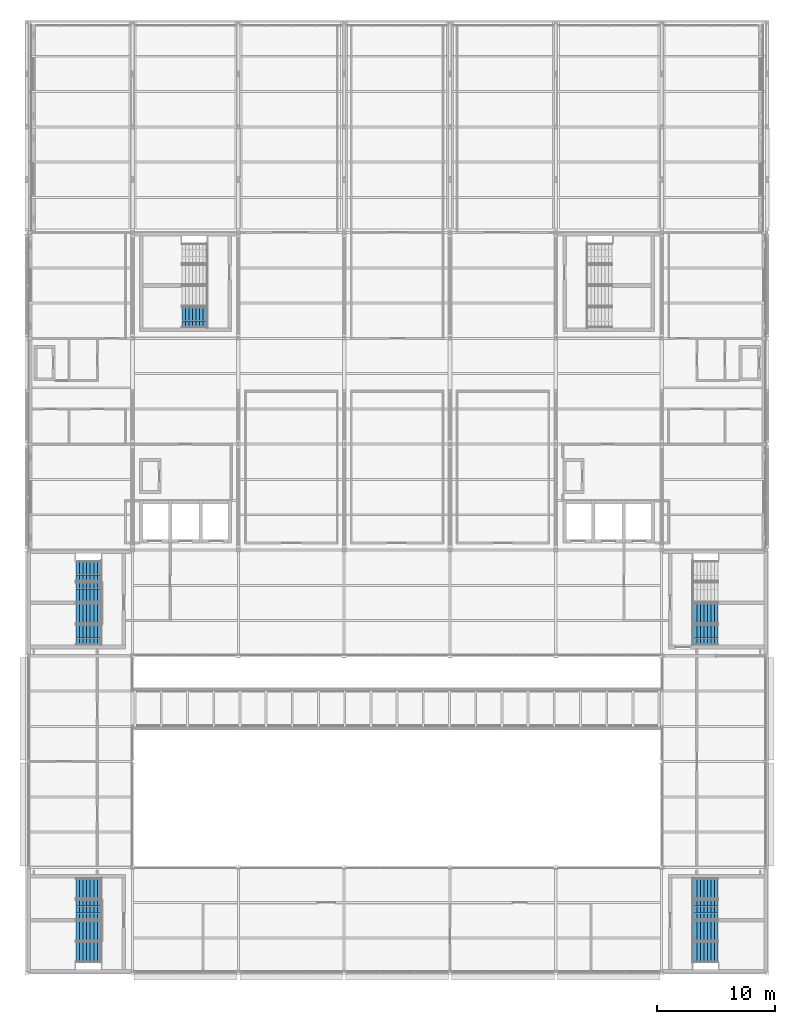
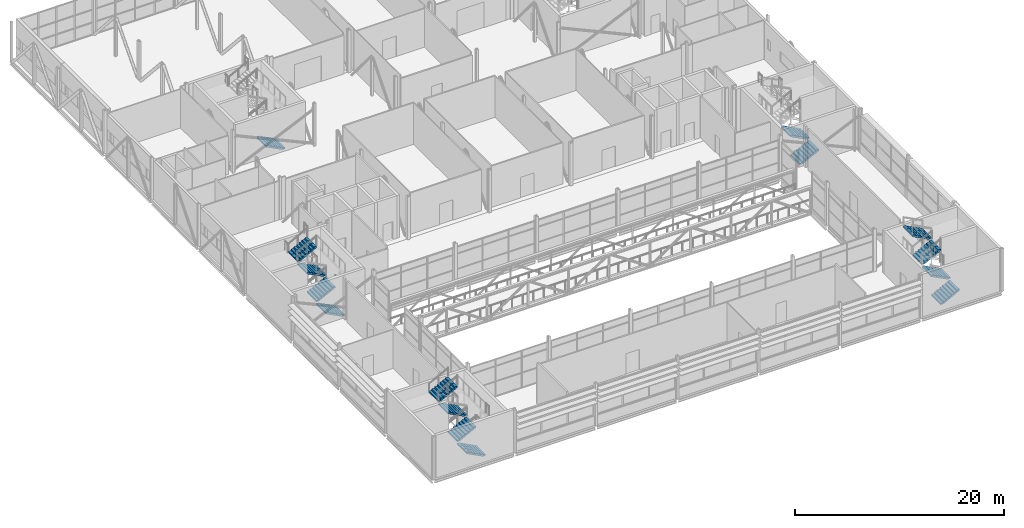
# One storey, part 83 of 94: 15 stair flights, 5 elements without a shape of their own.
"""IFC4 building model written with IfcOpenShell, lengths in metres."""

from ifc_helpers import new_model, si_unit, direction, frame, origin, place, context, subcontext, project, spatial, polyline, outline, extrude, material, type_object, element, aggregate, save


model = new_model("IFC4")

# Units and contexts
model_context = context("Model", 3, precision=1e-05, world=origin(), true_north=direction((0.0, 1.0)))
body_context = subcontext(model_context, "Body", "Model", "MODEL_VIEW")
ifc_project = project(units=[si_unit("LENGTHUNIT", "METRE"), si_unit("AREAUNIT", "SQUARE_METRE"), si_unit("VOLUMEUNIT", "CUBIC_METRE"), si_unit("PLANEANGLEUNIT", "RADIAN"), si_unit("MASSUNIT", "GRAM", prefix="KILO")], contexts=[model_context])

# Site, building, storey
site_placement = place(None, origin())
site = spatial("IfcSite", under=ifc_project, at=site_placement, CompositionType="ELEMENT")
building_placement = place(site_placement, origin())
building = spatial("IfcBuilding", under=site, at=building_placement, Name="Shorebreak Coast Museum", CompositionType="ELEMENT")
storey_placement = place(building_placement, frame((0.0, 0.0, 31.0)))
storey = spatial("IfcBuildingStorey", under=building, at=storey_placement, Name="L05", CompositionType="ELEMENT", Elevation=31.0)

# Stair, stair flights
ifc_material_1 = material(Name="Concrete N40 (40 MPa)", Category="concrete")
stair_type = type_object("IfcStairType", Name="Stair run 5 m", PredefinedType="DOUBLE_RETURN_STAIR", material=ifc_material_1)
stair_1_placement = place(storey_placement, origin())
stair_1 = element("IfcStair", 1, at=stair_1_placement, inside=storey, type_object=stair_type, Name="Exit stair ST01-L05", PredefinedType="DOUBLE_RETURN_STAIR")
ifc_material_2 = material(Name="Concrete N40 (40 MPa)", Category="concrete")
stair_flight_type = type_object("IfcStairFlightType", Name="Stair flight 8 risers 156.25", PredefinedType="STRAIGHT", material=ifc_material_2)
stair_flight_1_placement = place(storey_placement, frame((60.300048828125, 55.800048828125, 0.0), z_axis=(0.0, 0.0, 1.0), x_axis=(-1.0, 0.0, 0.0)))
stair_flight_1 = element("IfcStairFlight", 2, at=stair_flight_1_placement, type_object=stair_flight_type, Name="ST01-L05 flight 1", NumberOfRisers=8, NumberOfTreads=7, PredefinedType="STRAIGHT", RiserHeight=0.15625, TreadLength=0.3, context=body_context, shape_type="SweptSolid", body=[
    extrude(outline(polyline([(0.0, 0.0), (0.0, 0.15625), (0.300048828125, 0.15625), (0.300048828125, 0.3125), (0.60009765625, 0.3125), (0.60009765625, 0.46875), (0.89990234375, 0.46875), (0.89990234375, 0.625), (1.199951171875, 0.625), (1.199951171875, 0.78125), (1.5, 0.78125), (1.5, 0.9375), (1.800048828125, 0.9375), (1.800048828125, 1.09375), (2.10009765625, 1.09375), (2.10009765625, 1.25), (2.10009765625, 0.9248046875), (0.324462890625, 0.0), (0.0, 0.0)])), frame((0.0, 0.89990234375, 0.0), z_axis=(0.0, -1.0, 0.0), x_axis=(1.0, 0.0, 0.0)), (0.0, 0.0, 1.0), 0.59326171875),
    extrude(outline(polyline([(0.0, 0.0), (0.0, 0.15625), (0.300048828125, 0.15625), (0.300048828125, 0.3125), (0.60009765625, 0.3125), (0.60009765625, 0.46875), (0.89990234375, 0.46875), (0.89990234375, 0.625), (1.199951171875, 0.625), (1.199951171875, 0.78125), (1.5, 0.78125), (1.5, 0.9375), (1.800048828125, 0.9375), (1.800048828125, 1.09375), (2.10009765625, 1.09375), (2.10009765625, 1.25), (2.10009765625, 0.9248046875), (0.324462890625, 0.0), (0.0, 0.0)])), frame((0.0, 0.296630859375, 0.0), z_axis=(0.0, -1.0, 0.0), x_axis=(1.0, 0.0, 0.0)), (0.0, 0.0, 1.0), 0.59326171875),
    extrude(outline(polyline([(0.0, 0.0), (0.0, 0.15625), (0.300048828125, 0.15625), (0.300048828125, 0.3125), (0.60009765625, 0.3125), (0.60009765625, 0.46875), (0.89990234375, 0.46875), (0.89990234375, 0.625), (1.199951171875, 0.625), (1.199951171875, 0.78125), (1.5, 0.78125), (1.5, 0.9375), (1.800048828125, 0.9375), (1.800048828125, 1.09375), (2.10009765625, 1.09375), (2.10009765625, 1.25), (2.10009765625, 0.9248046875), (0.324462890625, 0.0), (0.0, 0.0)])), frame((0.0, -0.306640625, 0.0), z_axis=(0.0, -1.0, 0.0), x_axis=(1.0, 0.0, 0.0)), (0.0, 0.0, 1.0), 0.59326171875),
])
stair_flight_2_placement = place(storey_placement, frame((58.199951171875, 57.60009765625, 1.25), z_axis=(0.0, 0.0, 1.0), x_axis=(1.0, 0.0, 0.0)))
stair_flight_2 = element("IfcStairFlight", 3, at=stair_flight_2_placement, type_object=stair_flight_type, Name="ST01-L05 flight 2", NumberOfRisers=8, NumberOfTreads=7, PredefinedType="STRAIGHT", RiserHeight=0.15625, TreadLength=0.3, context=body_context, shape_type="SweptSolid", body=[
    extrude(outline(polyline([(0.0, 0.0), (0.0, 0.15625), (0.300048828125, 0.15625), (0.300048828125, 0.3125), (0.60009765625, 0.3125), (0.60009765625, 0.46875), (0.89990234375, 0.46875), (0.89990234375, 0.625), (1.199951171875, 0.625), (1.199951171875, 0.78125), (1.5, 0.78125), (1.5, 0.9375), (1.800048828125, 0.9375), (1.800048828125, 1.09375), (2.10009765625, 1.09375), (2.10009765625, 1.25), (2.10009765625, 0.9248046875), (0.324462890625, 0.0), (0.0, 0.0)])), frame((0.0, 0.89990234375, 0.0), z_axis=(0.0, -1.0, 0.0), x_axis=(1.0, 0.0, 0.0)), (0.0, 0.0, 1.0), 0.59326171875),
    extrude(outline(polyline([(0.0, 0.0), (0.0, 0.15625), (0.300048828125, 0.15625), (0.300048828125, 0.3125), (0.60009765625, 0.3125), (0.60009765625, 0.46875), (0.89990234375, 0.46875), (0.89990234375, 0.625), (1.199951171875, 0.625), (1.199951171875, 0.78125), (1.5, 0.78125), (1.5, 0.9375), (1.800048828125, 0.9375), (1.800048828125, 1.09375), (2.10009765625, 1.09375), (2.10009765625, 1.25), (2.10009765625, 0.9248046875), (0.324462890625, 0.0), (0.0, 0.0)])), frame((0.0, 0.296630859375, 0.0), z_axis=(0.0, -1.0, 0.0), x_axis=(1.0, 0.0, 0.0)), (0.0, 0.0, 1.0), 0.59326171875),
    extrude(outline(polyline([(0.0, 0.0), (0.0, 0.15625), (0.300048828125, 0.15625), (0.300048828125, 0.3125), (0.60009765625, 0.3125), (0.60009765625, 0.46875), (0.89990234375, 0.46875), (0.89990234375, 0.625), (1.199951171875, 0.625), (1.199951171875, 0.78125), (1.5, 0.78125), (1.5, 0.9375), (1.800048828125, 0.9375), (1.800048828125, 1.09375), (2.10009765625, 1.09375), (2.10009765625, 1.25), (2.10009765625, 0.9248046875), (0.324462890625, 0.0), (0.0, 0.0)])), frame((0.0, -0.306640625, 0.0), z_axis=(0.0, -1.0, 0.0), x_axis=(1.0, 0.0, 0.0)), (0.0, 0.0, 1.0), 0.59326171875),
])
stair_flight_3_placement = place(storey_placement, frame((60.300048828125, 59.39990234375, 2.5), z_axis=(0.0, 0.0, 1.0), x_axis=(-1.0, 0.0, 0.0)))
stair_flight_3 = element("IfcStairFlight", 4, at=stair_flight_3_placement, type_object=stair_flight_type, Name="ST01-L05 flight 3", NumberOfRisers=8, NumberOfTreads=7, PredefinedType="STRAIGHT", RiserHeight=0.15625, TreadLength=0.3, context=body_context, shape_type="SweptSolid", body=[
    extrude(outline(polyline([(0.0, 0.0), (0.0, 0.15625), (0.300048828125, 0.15625), (0.300048828125, 0.3125), (0.60009765625, 0.3125), (0.60009765625, 0.46875), (0.89990234375, 0.46875), (0.89990234375, 0.625), (1.199951171875, 0.625), (1.199951171875, 0.78125), (1.5, 0.78125), (1.5, 0.9375), (1.800048828125, 0.9375), (1.800048828125, 1.09375), (2.10009765625, 1.09375), (2.10009765625, 1.25), (2.10009765625, 0.9248046875), (0.324462890625, 0.0), (0.0, 0.0)])), frame((0.0, 0.89990234375, 0.0), z_axis=(0.0, -1.0, 0.0), x_axis=(1.0, 0.0, 0.0)), (0.0, 0.0, 1.0), 0.59326171875),
    extrude(outline(polyline([(0.0, 0.0), (0.0, 0.15625), (0.300048828125, 0.15625), (0.300048828125, 0.3125), (0.60009765625, 0.3125), (0.60009765625, 0.46875), (0.89990234375, 0.46875), (0.89990234375, 0.625), (1.199951171875, 0.625), (1.199951171875, 0.78125), (1.5, 0.78125), (1.5, 0.9375), (1.800048828125, 0.9375), (1.800048828125, 1.09375), (2.10009765625, 1.09375), (2.10009765625, 1.25), (2.10009765625, 0.9248046875), (0.324462890625, 0.0), (0.0, 0.0)])), frame((0.0, 0.296630859375, 0.0), z_axis=(0.0, -1.0, 0.0), x_axis=(1.0, 0.0, 0.0)), (0.0, 0.0, 1.0), 0.59326171875),
    extrude(outline(polyline([(0.0, 0.0), (0.0, 0.15625), (0.300048828125, 0.15625), (0.300048828125, 0.3125), (0.60009765625, 0.3125), (0.60009765625, 0.46875), (0.89990234375, 0.46875), (0.89990234375, 0.625), (1.199951171875, 0.625), (1.199951171875, 0.78125), (1.5, 0.78125), (1.5, 0.9375), (1.800048828125, 0.9375), (1.800048828125, 1.09375), (2.10009765625, 1.09375), (2.10009765625, 1.25), (2.10009765625, 0.9248046875), (0.324462890625, 0.0), (0.0, 0.0)])), frame((0.0, -0.306640625, 0.0), z_axis=(0.0, -1.0, 0.0), x_axis=(1.0, 0.0, 0.0)), (0.0, 0.0, 1.0), 0.59326171875),
])
stair_flight_4_placement = place(storey_placement, frame((58.199951171875, 61.199951171875, 3.75), z_axis=(0.0, 0.0, 1.0), x_axis=(1.0, 0.0, 0.0)))
stair_flight_4 = element("IfcStairFlight", 5, at=stair_flight_4_placement, type_object=stair_flight_type, Name="ST01-L05 flight 4", NumberOfRisers=8, NumberOfTreads=7, PredefinedType="STRAIGHT", RiserHeight=0.15625, TreadLength=0.3, context=body_context, shape_type="SweptSolid", body=[
    extrude(outline(polyline([(0.0, 0.0), (0.0, 0.15625), (0.300048828125, 0.15625), (0.300048828125, 0.3125), (0.60009765625, 0.3125), (0.60009765625, 0.46875), (0.89990234375, 0.46875), (0.89990234375, 0.625), (1.199951171875, 0.625), (1.199951171875, 0.78125), (1.5, 0.78125), (1.5, 0.9375), (1.800048828125, 0.9375), (1.800048828125, 1.09375), (2.10009765625, 1.09375), (2.10009765625, 1.25), (2.10009765625, 0.9248046875), (0.324462890625, 0.0), (0.0, 0.0)])), frame((0.0, 0.89990234375, 0.0), z_axis=(0.0, -1.0, 0.0), x_axis=(1.0, 0.0, 0.0)), (0.0, 0.0, 1.0), 0.59326171875),
    extrude(outline(polyline([(0.0, 0.0), (0.0, 0.15625), (0.300048828125, 0.15625), (0.300048828125, 0.3125), (0.60009765625, 0.3125), (0.60009765625, 0.46875), (0.89990234375, 0.46875), (0.89990234375, 0.625), (1.199951171875, 0.625), (1.199951171875, 0.78125), (1.5, 0.78125), (1.5, 0.9375), (1.800048828125, 0.9375), (1.800048828125, 1.09375), (2.10009765625, 1.09375), (2.10009765625, 1.25), (2.10009765625, 0.9248046875), (0.324462890625, 0.0), (0.0, 0.0)])), frame((0.0, 0.296630859375, 0.0), z_axis=(0.0, -1.0, 0.0), x_axis=(1.0, 0.0, 0.0)), (0.0, 0.0, 1.0), 0.59326171875),
    extrude(outline(polyline([(0.0, 0.0), (0.0, 0.15625), (0.300048828125, 0.15625), (0.300048828125, 0.3125), (0.60009765625, 0.3125), (0.60009765625, 0.46875), (0.89990234375, 0.46875), (0.89990234375, 0.625), (1.199951171875, 0.625), (1.199951171875, 0.78125), (1.5, 0.78125), (1.5, 0.9375), (1.800048828125, 0.9375), (1.800048828125, 1.09375), (2.10009765625, 1.09375), (2.10009765625, 1.25), (2.10009765625, 0.9248046875), (0.324462890625, 0.0), (0.0, 0.0)])), frame((0.0, -0.306640625, 0.0), z_axis=(0.0, -1.0, 0.0), x_axis=(1.0, 0.0, 0.0)), (0.0, 0.0, 1.0), 0.59326171875),
])
aggregate(stair_1, [stair_flight_1, stair_flight_2, stair_flight_3, stair_flight_4])

stair_2_placement = place(storey_placement, origin())
stair_2 = element("IfcStair", 6, at=stair_2_placement, inside=storey, type_object=stair_type, Name="Exit stair ST02-L05", PredefinedType="DOUBLE_RETURN_STAIR")
stair_flight_5_placement = place(storey_placement, frame((110.699951171875, 55.800048828125, 0.0), z_axis=(0.0, 0.0, 1.0), x_axis=(1.0, 0.0, 0.0)))
stair_flight_5 = element("IfcStairFlight", 7, at=stair_flight_5_placement, type_object=stair_flight_type, Name="ST02-L05 flight 1", NumberOfRisers=8, NumberOfTreads=7, PredefinedType="STRAIGHT", RiserHeight=0.15625, TreadLength=0.3, context=body_context, shape_type="SweptSolid", body=[
    extrude(outline(polyline([(0.0, 0.0), (0.0, 0.15625), (0.300048828125, 0.15625), (0.300048828125, 0.3125), (0.60009765625, 0.3125), (0.60009765625, 0.46875), (0.89990234375, 0.46875), (0.89990234375, 0.625), (1.199951171875, 0.625), (1.199951171875, 0.78125), (1.5, 0.78125), (1.5, 0.9375), (1.800048828125, 0.9375), (1.800048828125, 1.09375), (2.10009765625, 1.09375), (2.10009765625, 1.25), (2.10009765625, 0.9248046875), (0.324462890625, 0.0), (0.0, 0.0)])), frame((0.0, 0.89990234375, 0.0), z_axis=(0.0, -1.0, 0.0), x_axis=(1.0, 0.0, 0.0)), (0.0, 0.0, 1.0), 0.59326171875),
    extrude(outline(polyline([(0.0, 0.0), (0.0, 0.15625), (0.300048828125, 0.15625), (0.300048828125, 0.3125), (0.60009765625, 0.3125), (0.60009765625, 0.46875), (0.89990234375, 0.46875), (0.89990234375, 0.625), (1.199951171875, 0.625), (1.199951171875, 0.78125), (1.5, 0.78125), (1.5, 0.9375), (1.800048828125, 0.9375), (1.800048828125, 1.09375), (2.10009765625, 1.09375), (2.10009765625, 1.25), (2.10009765625, 0.9248046875), (0.324462890625, 0.0), (0.0, 0.0)])), frame((0.0, 0.296630859375, 0.0), z_axis=(0.0, -1.0, 0.0), x_axis=(1.0, 0.0, 0.0)), (0.0, 0.0, 1.0), 0.59326171875),
    extrude(outline(polyline([(0.0, 0.0), (0.0, 0.15625), (0.300048828125, 0.15625), (0.300048828125, 0.3125), (0.60009765625, 0.3125), (0.60009765625, 0.46875), (0.89990234375, 0.46875), (0.89990234375, 0.625), (1.199951171875, 0.625), (1.199951171875, 0.78125), (1.5, 0.78125), (1.5, 0.9375), (1.800048828125, 0.9375), (1.800048828125, 1.09375), (2.10009765625, 1.09375), (2.10009765625, 1.25), (2.10009765625, 0.9248046875), (0.324462890625, 0.0), (0.0, 0.0)])), frame((0.0, -0.306640625, 0.0), z_axis=(0.0, -1.0, 0.0), x_axis=(1.0, 0.0, 0.0)), (0.0, 0.0, 1.0), 0.59326171875),
])
stair_flight_6_placement = place(storey_placement, frame((112.800048828125, 57.60009765625, 1.25), z_axis=(0.0, 0.0, 1.0), x_axis=(-1.0, 0.0, 0.0)))
stair_flight_6 = element("IfcStairFlight", 8, at=stair_flight_6_placement, type_object=stair_flight_type, Name="ST02-L05 flight 2", NumberOfRisers=8, NumberOfTreads=7, PredefinedType="STRAIGHT", RiserHeight=0.15625, TreadLength=0.3, context=body_context, shape_type="SweptSolid", body=[
    extrude(outline(polyline([(0.0, 0.0), (0.0, 0.15625), (0.300048828125, 0.15625), (0.300048828125, 0.3125), (0.60009765625, 0.3125), (0.60009765625, 0.46875), (0.89990234375, 0.46875), (0.89990234375, 0.625), (1.199951171875, 0.625), (1.199951171875, 0.78125), (1.5, 0.78125), (1.5, 0.9375), (1.800048828125, 0.9375), (1.800048828125, 1.09375), (2.10009765625, 1.09375), (2.10009765625, 1.25), (2.10009765625, 0.9248046875), (0.324462890625, 0.0), (0.0, 0.0)])), frame((0.0, 0.89990234375, 0.0), z_axis=(0.0, -1.0, 0.0), x_axis=(1.0, 0.0, 0.0)), (0.0, 0.0, 1.0), 0.59326171875),
    extrude(outline(polyline([(0.0, 0.0), (0.0, 0.15625), (0.300048828125, 0.15625), (0.300048828125, 0.3125), (0.60009765625, 0.3125), (0.60009765625, 0.46875), (0.89990234375, 0.46875), (0.89990234375, 0.625), (1.199951171875, 0.625), (1.199951171875, 0.78125), (1.5, 0.78125), (1.5, 0.9375), (1.800048828125, 0.9375), (1.800048828125, 1.09375), (2.10009765625, 1.09375), (2.10009765625, 1.25), (2.10009765625, 0.9248046875), (0.324462890625, 0.0), (0.0, 0.0)])), frame((0.0, 0.296630859375, 0.0), z_axis=(0.0, -1.0, 0.0), x_axis=(1.0, 0.0, 0.0)), (0.0, 0.0, 1.0), 0.59326171875),
    extrude(outline(polyline([(0.0, 0.0), (0.0, 0.15625), (0.300048828125, 0.15625), (0.300048828125, 0.3125), (0.60009765625, 0.3125), (0.60009765625, 0.46875), (0.89990234375, 0.46875), (0.89990234375, 0.625), (1.199951171875, 0.625), (1.199951171875, 0.78125), (1.5, 0.78125), (1.5, 0.9375), (1.800048828125, 0.9375), (1.800048828125, 1.09375), (2.10009765625, 1.09375), (2.10009765625, 1.25), (2.10009765625, 0.9248046875), (0.324462890625, 0.0), (0.0, 0.0)])), frame((0.0, -0.306640625, 0.0), z_axis=(0.0, -1.0, 0.0), x_axis=(1.0, 0.0, 0.0)), (0.0, 0.0, 1.0), 0.59326171875),
])
stair_flight_7_placement = place(storey_placement, frame((110.699951171875, 59.39990234375, 2.5), z_axis=(0.0, 0.0, 1.0), x_axis=(1.0, 0.0, 0.0)))
stair_flight_7 = element("IfcStairFlight", 9, at=stair_flight_7_placement, type_object=stair_flight_type, Name="ST02-L05 flight 3", NumberOfRisers=8, NumberOfTreads=7, PredefinedType="STRAIGHT", RiserHeight=0.15625, TreadLength=0.3, context=body_context, shape_type="SweptSolid", body=[
    extrude(outline(polyline([(0.0, 0.0), (0.0, 0.15625), (0.300048828125, 0.15625), (0.300048828125, 0.3125), (0.60009765625, 0.3125), (0.60009765625, 0.46875), (0.89990234375, 0.46875), (0.89990234375, 0.625), (1.199951171875, 0.625), (1.199951171875, 0.78125), (1.5, 0.78125), (1.5, 0.9375), (1.800048828125, 0.9375), (1.800048828125, 1.09375), (2.10009765625, 1.09375), (2.10009765625, 1.25), (2.10009765625, 0.9248046875), (0.324462890625, 0.0), (0.0, 0.0)])), frame((0.0, 0.89990234375, 0.0), z_axis=(0.0, -1.0, 0.0), x_axis=(1.0, 0.0, 0.0)), (0.0, 0.0, 1.0), 0.59326171875),
    extrude(outline(polyline([(0.0, 0.0), (0.0, 0.15625), (0.300048828125, 0.15625), (0.300048828125, 0.3125), (0.60009765625, 0.3125), (0.60009765625, 0.46875), (0.89990234375, 0.46875), (0.89990234375, 0.625), (1.199951171875, 0.625), (1.199951171875, 0.78125), (1.5, 0.78125), (1.5, 0.9375), (1.800048828125, 0.9375), (1.800048828125, 1.09375), (2.10009765625, 1.09375), (2.10009765625, 1.25), (2.10009765625, 0.9248046875), (0.324462890625, 0.0), (0.0, 0.0)])), frame((0.0, 0.296630859375, 0.0), z_axis=(0.0, -1.0, 0.0), x_axis=(1.0, 0.0, 0.0)), (0.0, 0.0, 1.0), 0.59326171875),
    extrude(outline(polyline([(0.0, 0.0), (0.0, 0.15625), (0.300048828125, 0.15625), (0.300048828125, 0.3125), (0.60009765625, 0.3125), (0.60009765625, 0.46875), (0.89990234375, 0.46875), (0.89990234375, 0.625), (1.199951171875, 0.625), (1.199951171875, 0.78125), (1.5, 0.78125), (1.5, 0.9375), (1.800048828125, 0.9375), (1.800048828125, 1.09375), (2.10009765625, 1.09375), (2.10009765625, 1.25), (2.10009765625, 0.9248046875), (0.324462890625, 0.0), (0.0, 0.0)])), frame((0.0, -0.306640625, 0.0), z_axis=(0.0, -1.0, 0.0), x_axis=(1.0, 0.0, 0.0)), (0.0, 0.0, 1.0), 0.59326171875),
])
stair_flight_8_placement = place(storey_placement, frame((112.800048828125, 61.199951171875, 3.75), z_axis=(0.0, 0.0, 1.0), x_axis=(-1.0, 0.0, 0.0)))
stair_flight_8 = element("IfcStairFlight", 10, at=stair_flight_8_placement, type_object=stair_flight_type, Name="ST02-L05 flight 4", NumberOfRisers=8, NumberOfTreads=7, PredefinedType="STRAIGHT", RiserHeight=0.15625, TreadLength=0.3, context=body_context, shape_type="SweptSolid", body=[
    extrude(outline(polyline([(0.0, 0.0), (0.0, 0.15625), (0.300048828125, 0.15625), (0.300048828125, 0.3125), (0.60009765625, 0.3125), (0.60009765625, 0.46875), (0.89990234375, 0.46875), (0.89990234375, 0.625), (1.199951171875, 0.625), (1.199951171875, 0.78125), (1.5, 0.78125), (1.5, 0.9375), (1.800048828125, 0.9375), (1.800048828125, 1.09375), (2.10009765625, 1.09375), (2.10009765625, 1.25), (2.10009765625, 0.9248046875), (0.324462890625, 0.0), (0.0, 0.0)])), frame((0.0, 0.89990234375, 0.0), z_axis=(0.0, -1.0, 0.0), x_axis=(1.0, 0.0, 0.0)), (0.0, 0.0, 1.0), 0.59326171875),
    extrude(outline(polyline([(0.0, 0.0), (0.0, 0.15625), (0.300048828125, 0.15625), (0.300048828125, 0.3125), (0.60009765625, 0.3125), (0.60009765625, 0.46875), (0.89990234375, 0.46875), (0.89990234375, 0.625), (1.199951171875, 0.625), (1.199951171875, 0.78125), (1.5, 0.78125), (1.5, 0.9375), (1.800048828125, 0.9375), (1.800048828125, 1.09375), (2.10009765625, 1.09375), (2.10009765625, 1.25), (2.10009765625, 0.9248046875), (0.324462890625, 0.0), (0.0, 0.0)])), frame((0.0, 0.296630859375, 0.0), z_axis=(0.0, -1.0, 0.0), x_axis=(1.0, 0.0, 0.0)), (0.0, 0.0, 1.0), 0.59326171875),
    extrude(outline(polyline([(0.0, 0.0), (0.0, 0.15625), (0.300048828125, 0.15625), (0.300048828125, 0.3125), (0.60009765625, 0.3125), (0.60009765625, 0.46875), (0.89990234375, 0.46875), (0.89990234375, 0.625), (1.199951171875, 0.625), (1.199951171875, 0.78125), (1.5, 0.78125), (1.5, 0.9375), (1.800048828125, 0.9375), (1.800048828125, 1.09375), (2.10009765625, 1.09375), (2.10009765625, 1.25), (2.10009765625, 0.9248046875), (0.324462890625, 0.0), (0.0, 0.0)])), frame((0.0, -0.306640625, 0.0), z_axis=(0.0, -1.0, 0.0), x_axis=(1.0, 0.0, 0.0)), (0.0, 0.0, 1.0), 0.59326171875),
])
aggregate(stair_2, [stair_flight_5, stair_flight_6, stair_flight_7, stair_flight_8])

stair_3_placement = place(storey_placement, origin())
stair_3 = element("IfcStair", 11, at=stair_3_placement, inside=storey, type_object=stair_type, Name="Exit stair ST03-L05", PredefinedType="DOUBLE_RETURN_STAIR")
stair_flight_9_placement = place(storey_placement, frame((60.300048828125, 82.800048828125, 0.0), z_axis=(0.0, 0.0, 1.0), x_axis=(-1.0, 0.0, 0.0)))
stair_flight_9 = element("IfcStairFlight", 12, at=stair_flight_9_placement, type_object=stair_flight_type, Name="ST03-L05 flight 1", NumberOfRisers=8, NumberOfTreads=7, PredefinedType="STRAIGHT", RiserHeight=0.15625, TreadLength=0.3, context=body_context, shape_type="SweptSolid", body=[
    extrude(outline(polyline([(0.0, 0.0), (0.0, 0.15625), (0.300048828125, 0.15625), (0.300048828125, 0.3125), (0.60009765625, 0.3125), (0.60009765625, 0.46875), (0.89990234375, 0.46875), (0.89990234375, 0.625), (1.199951171875, 0.625), (1.199951171875, 0.78125), (1.5, 0.78125), (1.5, 0.9375), (1.800048828125, 0.9375), (1.800048828125, 1.09375), (2.10009765625, 1.09375), (2.10009765625, 1.25), (2.10009765625, 0.9248046875), (0.324462890625, 0.0), (0.0, 0.0)])), frame((0.0, 0.89990234375, 0.0), z_axis=(0.0, -1.0, 0.0), x_axis=(1.0, 0.0, 0.0)), (0.0, 0.0, 1.0), 0.59326171875),
    extrude(outline(polyline([(0.0, 0.0), (0.0, 0.15625), (0.300048828125, 0.15625), (0.300048828125, 0.3125), (0.60009765625, 0.3125), (0.60009765625, 0.46875), (0.89990234375, 0.46875), (0.89990234375, 0.625), (1.199951171875, 0.625), (1.199951171875, 0.78125), (1.5, 0.78125), (1.5, 0.9375), (1.800048828125, 0.9375), (1.800048828125, 1.09375), (2.10009765625, 1.09375), (2.10009765625, 1.25), (2.10009765625, 0.9248046875), (0.324462890625, 0.0), (0.0, 0.0)])), frame((0.0, 0.296630859375, 0.0), z_axis=(0.0, -1.0, 0.0), x_axis=(1.0, 0.0, 0.0)), (0.0, 0.0, 1.0), 0.59326171875),
    extrude(outline(polyline([(0.0, 0.0), (0.0, 0.15625), (0.300048828125, 0.15625), (0.300048828125, 0.3125), (0.60009765625, 0.3125), (0.60009765625, 0.46875), (0.89990234375, 0.46875), (0.89990234375, 0.625), (1.199951171875, 0.625), (1.199951171875, 0.78125), (1.5, 0.78125), (1.5, 0.9375), (1.800048828125, 0.9375), (1.800048828125, 1.09375), (2.10009765625, 1.09375), (2.10009765625, 1.25), (2.10009765625, 0.9248046875), (0.324462890625, 0.0), (0.0, 0.0)])), frame((0.0, -0.306640625, 0.0), z_axis=(0.0, -1.0, 0.0), x_axis=(1.0, 0.0, 0.0)), (0.0, 0.0, 1.0), 0.59326171875),
])
stair_flight_10_placement = place(storey_placement, frame((58.199951171875, 84.60009765625, 1.25), z_axis=(0.0, 0.0, 1.0), x_axis=(1.0, 0.0, 0.0)))
stair_flight_10 = element("IfcStairFlight", 13, at=stair_flight_10_placement, type_object=stair_flight_type, Name="ST03-L05 flight 2", NumberOfRisers=8, NumberOfTreads=7, PredefinedType="STRAIGHT", RiserHeight=0.15625, TreadLength=0.3, context=body_context, shape_type="SweptSolid", body=[
    extrude(outline(polyline([(0.0, 0.0), (0.0, 0.15625), (0.300048828125, 0.15625), (0.300048828125, 0.3125), (0.60009765625, 0.3125), (0.60009765625, 0.46875), (0.89990234375, 0.46875), (0.89990234375, 0.625), (1.199951171875, 0.625), (1.199951171875, 0.78125), (1.5, 0.78125), (1.5, 0.9375), (1.800048828125, 0.9375), (1.800048828125, 1.09375), (2.10009765625, 1.09375), (2.10009765625, 1.25), (2.10009765625, 0.9248046875), (0.324462890625, 0.0), (0.0, 0.0)])), frame((0.0, 0.89990234375, 0.0), z_axis=(0.0, -1.0, 0.0), x_axis=(1.0, 0.0, 0.0)), (0.0, 0.0, 1.0), 0.59326171875),
    extrude(outline(polyline([(0.0, 0.0), (0.0, 0.15625), (0.300048828125, 0.15625), (0.300048828125, 0.3125), (0.60009765625, 0.3125), (0.60009765625, 0.46875), (0.89990234375, 0.46875), (0.89990234375, 0.625), (1.199951171875, 0.625), (1.199951171875, 0.78125), (1.5, 0.78125), (1.5, 0.9375), (1.800048828125, 0.9375), (1.800048828125, 1.09375), (2.10009765625, 1.09375), (2.10009765625, 1.25), (2.10009765625, 0.9248046875), (0.324462890625, 0.0), (0.0, 0.0)])), frame((0.0, 0.296630859375, 0.0), z_axis=(0.0, -1.0, 0.0), x_axis=(1.0, 0.0, 0.0)), (0.0, 0.0, 1.0), 0.59326171875),
    extrude(outline(polyline([(0.0, 0.0), (0.0, 0.15625), (0.300048828125, 0.15625), (0.300048828125, 0.3125), (0.60009765625, 0.3125), (0.60009765625, 0.46875), (0.89990234375, 0.46875), (0.89990234375, 0.625), (1.199951171875, 0.625), (1.199951171875, 0.78125), (1.5, 0.78125), (1.5, 0.9375), (1.800048828125, 0.9375), (1.800048828125, 1.09375), (2.10009765625, 1.09375), (2.10009765625, 1.25), (2.10009765625, 0.9248046875), (0.324462890625, 0.0), (0.0, 0.0)])), frame((0.0, -0.306640625, 0.0), z_axis=(0.0, -1.0, 0.0), x_axis=(1.0, 0.0, 0.0)), (0.0, 0.0, 1.0), 0.59326171875),
])
stair_flight_11_placement = place(storey_placement, frame((60.300048828125, 86.39990234375, 2.5), z_axis=(0.0, 0.0, 1.0), x_axis=(-1.0, 0.0, 0.0)))
stair_flight_11 = element("IfcStairFlight", 14, at=stair_flight_11_placement, type_object=stair_flight_type, Name="ST03-L05 flight 3", NumberOfRisers=8, NumberOfTreads=7, PredefinedType="STRAIGHT", RiserHeight=0.15625, TreadLength=0.3, context=body_context, shape_type="SweptSolid", body=[
    extrude(outline(polyline([(0.0, 0.0), (0.0, 0.15625), (0.300048828125, 0.15625), (0.300048828125, 0.3125), (0.60009765625, 0.3125), (0.60009765625, 0.46875), (0.89990234375, 0.46875), (0.89990234375, 0.625), (1.199951171875, 0.625), (1.199951171875, 0.78125), (1.5, 0.78125), (1.5, 0.9375), (1.800048828125, 0.9375), (1.800048828125, 1.09375), (2.10009765625, 1.09375), (2.10009765625, 1.25), (2.10009765625, 0.9248046875), (0.324462890625, 0.0), (0.0, 0.0)])), frame((0.0, 0.89990234375, 0.0), z_axis=(0.0, -1.0, 0.0), x_axis=(1.0, 0.0, 0.0)), (0.0, 0.0, 1.0), 0.59326171875),
    extrude(outline(polyline([(0.0, 0.0), (0.0, 0.15625), (0.300048828125, 0.15625), (0.300048828125, 0.3125), (0.60009765625, 0.3125), (0.60009765625, 0.46875), (0.89990234375, 0.46875), (0.89990234375, 0.625), (1.199951171875, 0.625), (1.199951171875, 0.78125), (1.5, 0.78125), (1.5, 0.9375), (1.800048828125, 0.9375), (1.800048828125, 1.09375), (2.10009765625, 1.09375), (2.10009765625, 1.25), (2.10009765625, 0.9248046875), (0.324462890625, 0.0), (0.0, 0.0)])), frame((0.0, 0.296630859375, 0.0), z_axis=(0.0, -1.0, 0.0), x_axis=(1.0, 0.0, 0.0)), (0.0, 0.0, 1.0), 0.59326171875),
    extrude(outline(polyline([(0.0, 0.0), (0.0, 0.15625), (0.300048828125, 0.15625), (0.300048828125, 0.3125), (0.60009765625, 0.3125), (0.60009765625, 0.46875), (0.89990234375, 0.46875), (0.89990234375, 0.625), (1.199951171875, 0.625), (1.199951171875, 0.78125), (1.5, 0.78125), (1.5, 0.9375), (1.800048828125, 0.9375), (1.800048828125, 1.09375), (2.10009765625, 1.09375), (2.10009765625, 1.25), (2.10009765625, 0.9248046875), (0.324462890625, 0.0), (0.0, 0.0)])), frame((0.0, -0.306640625, 0.0), z_axis=(0.0, -1.0, 0.0), x_axis=(1.0, 0.0, 0.0)), (0.0, 0.0, 1.0), 0.59326171875),
])
stair_flight_12_placement = place(storey_placement, frame((58.199951171875, 88.199951171875, 3.75), z_axis=(0.0, 0.0, 1.0), x_axis=(1.0, 0.0, 0.0)))
stair_flight_12 = element("IfcStairFlight", 15, at=stair_flight_12_placement, type_object=stair_flight_type, Name="ST03-L05 flight 4", NumberOfRisers=8, NumberOfTreads=7, PredefinedType="STRAIGHT", RiserHeight=0.15625, TreadLength=0.3, context=body_context, shape_type="SweptSolid", body=[
    extrude(outline(polyline([(0.0, 0.0), (0.0, 0.15625), (0.300048828125, 0.15625), (0.300048828125, 0.3125), (0.60009765625, 0.3125), (0.60009765625, 0.46875), (0.89990234375, 0.46875), (0.89990234375, 0.625), (1.199951171875, 0.625), (1.199951171875, 0.78125), (1.5, 0.78125), (1.5, 0.9375), (1.800048828125, 0.9375), (1.800048828125, 1.09375), (2.10009765625, 1.09375), (2.10009765625, 1.25), (2.10009765625, 0.9248046875), (0.324462890625, 0.0), (0.0, 0.0)])), frame((0.0, 0.89990234375, 0.0), z_axis=(0.0, -1.0, 0.0), x_axis=(1.0, 0.0, 0.0)), (0.0, 0.0, 1.0), 0.59326171875),
    extrude(outline(polyline([(0.0, 0.0), (0.0, 0.15625), (0.300048828125, 0.15625), (0.300048828125, 0.3125), (0.60009765625, 0.3125), (0.60009765625, 0.46875), (0.89990234375, 0.46875), (0.89990234375, 0.625), (1.199951171875, 0.625), (1.199951171875, 0.78125), (1.5, 0.78125), (1.5, 0.9375), (1.800048828125, 0.9375), (1.800048828125, 1.09375), (2.10009765625, 1.09375), (2.10009765625, 1.25), (2.10009765625, 0.9248046875), (0.324462890625, 0.0), (0.0, 0.0)])), frame((0.0, 0.296630859375, 0.0), z_axis=(0.0, -1.0, 0.0), x_axis=(1.0, 0.0, 0.0)), (0.0, 0.0, 1.0), 0.59326171875),
    extrude(outline(polyline([(0.0, 0.0), (0.0, 0.15625), (0.300048828125, 0.15625), (0.300048828125, 0.3125), (0.60009765625, 0.3125), (0.60009765625, 0.46875), (0.89990234375, 0.46875), (0.89990234375, 0.625), (1.199951171875, 0.625), (1.199951171875, 0.78125), (1.5, 0.78125), (1.5, 0.9375), (1.800048828125, 0.9375), (1.800048828125, 1.09375), (2.10009765625, 1.09375), (2.10009765625, 1.25), (2.10009765625, 0.9248046875), (0.324462890625, 0.0), (0.0, 0.0)])), frame((0.0, -0.306640625, 0.0), z_axis=(0.0, -1.0, 0.0), x_axis=(1.0, 0.0, 0.0)), (0.0, 0.0, 1.0), 0.59326171875),
])
aggregate(stair_3, [stair_flight_9, stair_flight_10, stair_flight_11, stair_flight_12])

stair_4_placement = place(storey_placement, origin())
stair_4 = element("IfcStair", 16, at=stair_4_placement, inside=storey, type_object=stair_type, Name="Exit stair ST04-L05", PredefinedType="DOUBLE_RETURN_STAIR")
stair_flight_13_placement = place(storey_placement, frame((110.699951171875, 82.800048828125, 0.0), z_axis=(0.0, 0.0, 1.0), x_axis=(1.0, 0.0, 0.0)))
stair_flight_13 = element("IfcStairFlight", 17, at=stair_flight_13_placement, type_object=stair_flight_type, Name="ST04-L05 flight 1", NumberOfRisers=8, NumberOfTreads=7, PredefinedType="STRAIGHT", RiserHeight=0.15625, TreadLength=0.3, context=body_context, shape_type="SweptSolid", body=[
    extrude(outline(polyline([(0.0, 0.0), (0.0, 0.15625), (0.300048828125, 0.15625), (0.300048828125, 0.3125), (0.60009765625, 0.3125), (0.60009765625, 0.46875), (0.89990234375, 0.46875), (0.89990234375, 0.625), (1.199951171875, 0.625), (1.199951171875, 0.78125), (1.5, 0.78125), (1.5, 0.9375), (1.800048828125, 0.9375), (1.800048828125, 1.09375), (2.10009765625, 1.09375), (2.10009765625, 1.25), (2.10009765625, 0.9248046875), (0.324462890625, 0.0), (0.0, 0.0)])), frame((0.0, 0.89990234375, 0.0), z_axis=(0.0, -1.0, 0.0), x_axis=(1.0, 0.0, 0.0)), (0.0, 0.0, 1.0), 0.59326171875),
    extrude(outline(polyline([(0.0, 0.0), (0.0, 0.15625), (0.300048828125, 0.15625), (0.300048828125, 0.3125), (0.60009765625, 0.3125), (0.60009765625, 0.46875), (0.89990234375, 0.46875), (0.89990234375, 0.625), (1.199951171875, 0.625), (1.199951171875, 0.78125), (1.5, 0.78125), (1.5, 0.9375), (1.800048828125, 0.9375), (1.800048828125, 1.09375), (2.10009765625, 1.09375), (2.10009765625, 1.25), (2.10009765625, 0.9248046875), (0.324462890625, 0.0), (0.0, 0.0)])), frame((0.0, 0.296630859375, 0.0), z_axis=(0.0, -1.0, 0.0), x_axis=(1.0, 0.0, 0.0)), (0.0, 0.0, 1.0), 0.59326171875),
    extrude(outline(polyline([(0.0, 0.0), (0.0, 0.15625), (0.300048828125, 0.15625), (0.300048828125, 0.3125), (0.60009765625, 0.3125), (0.60009765625, 0.46875), (0.89990234375, 0.46875), (0.89990234375, 0.625), (1.199951171875, 0.625), (1.199951171875, 0.78125), (1.5, 0.78125), (1.5, 0.9375), (1.800048828125, 0.9375), (1.800048828125, 1.09375), (2.10009765625, 1.09375), (2.10009765625, 1.25), (2.10009765625, 0.9248046875), (0.324462890625, 0.0), (0.0, 0.0)])), frame((0.0, -0.306640625, 0.0), z_axis=(0.0, -1.0, 0.0), x_axis=(1.0, 0.0, 0.0)), (0.0, 0.0, 1.0), 0.59326171875),
])
stair_flight_14_placement = place(storey_placement, frame((112.800048828125, 84.60009765625, 1.25), z_axis=(0.0, 0.0, 1.0), x_axis=(-1.0, 0.0, 0.0)))
stair_flight_14 = element("IfcStairFlight", 18, at=stair_flight_14_placement, type_object=stair_flight_type, Name="ST04-L05 flight 2", NumberOfRisers=8, NumberOfTreads=7, PredefinedType="STRAIGHT", RiserHeight=0.15625, TreadLength=0.3, context=body_context, shape_type="SweptSolid", body=[
    extrude(outline(polyline([(0.0, 0.0), (0.0, 0.15625), (0.300048828125, 0.15625), (0.300048828125, 0.3125), (0.60009765625, 0.3125), (0.60009765625, 0.46875), (0.89990234375, 0.46875), (0.89990234375, 0.625), (1.199951171875, 0.625), (1.199951171875, 0.78125), (1.5, 0.78125), (1.5, 0.9375), (1.800048828125, 0.9375), (1.800048828125, 1.09375), (2.10009765625, 1.09375), (2.10009765625, 1.25), (2.10009765625, 0.9248046875), (0.324462890625, 0.0), (0.0, 0.0)])), frame((0.0, 0.89990234375, 0.0), z_axis=(0.0, -1.0, 0.0), x_axis=(1.0, 0.0, 0.0)), (0.0, 0.0, 1.0), 0.59326171875),
    extrude(outline(polyline([(0.0, 0.0), (0.0, 0.15625), (0.300048828125, 0.15625), (0.300048828125, 0.3125), (0.60009765625, 0.3125), (0.60009765625, 0.46875), (0.89990234375, 0.46875), (0.89990234375, 0.625), (1.199951171875, 0.625), (1.199951171875, 0.78125), (1.5, 0.78125), (1.5, 0.9375), (1.800048828125, 0.9375), (1.800048828125, 1.09375), (2.10009765625, 1.09375), (2.10009765625, 1.25), (2.10009765625, 0.9248046875), (0.324462890625, 0.0), (0.0, 0.0)])), frame((0.0, 0.296630859375, 0.0), z_axis=(0.0, -1.0, 0.0), x_axis=(1.0, 0.0, 0.0)), (0.0, 0.0, 1.0), 0.59326171875),
    extrude(outline(polyline([(0.0, 0.0), (0.0, 0.15625), (0.300048828125, 0.15625), (0.300048828125, 0.3125), (0.60009765625, 0.3125), (0.60009765625, 0.46875), (0.89990234375, 0.46875), (0.89990234375, 0.625), (1.199951171875, 0.625), (1.199951171875, 0.78125), (1.5, 0.78125), (1.5, 0.9375), (1.800048828125, 0.9375), (1.800048828125, 1.09375), (2.10009765625, 1.09375), (2.10009765625, 1.25), (2.10009765625, 0.9248046875), (0.324462890625, 0.0), (0.0, 0.0)])), frame((0.0, -0.306640625, 0.0), z_axis=(0.0, -1.0, 0.0), x_axis=(1.0, 0.0, 0.0)), (0.0, 0.0, 1.0), 0.59326171875),
])
aggregate(stair_4, [stair_flight_13, stair_flight_14])

# Stair, stair flight
stair_5_placement = place(storey_placement, origin())
stair_5 = element("IfcStair", 19, at=stair_5_placement, inside=storey, type_object=stair_type, Name="Exit stair ST09-L05", PredefinedType="DOUBLE_RETURN_STAIR")
stair_flight_15_placement = place(storey_placement, frame((69.300048828125, 109.800048828125, 0.0), z_axis=(0.0, 0.0, 1.0), x_axis=(-1.0, 0.0, 0.0)))
stair_flight_15 = element("IfcStairFlight", 20, at=stair_flight_15_placement, type_object=stair_flight_type, Name="ST09-L05 flight 1", NumberOfRisers=8, NumberOfTreads=7, PredefinedType="STRAIGHT", RiserHeight=0.15625, TreadLength=0.3, context=body_context, shape_type="SweptSolid", body=[
    extrude(outline(polyline([(0.0, 0.0), (0.0, 0.15625), (0.300048828125, 0.15625), (0.300048828125, 0.3125), (0.60009765625, 0.3125), (0.60009765625, 0.46875), (0.89990234375, 0.46875), (0.89990234375, 0.625), (1.199951171875, 0.625), (1.199951171875, 0.78125), (1.5, 0.78125), (1.5, 0.9375), (1.800048828125, 0.9375), (1.800048828125, 1.09375), (2.10009765625, 1.09375), (2.10009765625, 1.25), (2.10009765625, 0.9248046875), (0.324462890625, 0.0), (0.0, 0.0)])), frame((0.0, 0.89990234375, 0.0), z_axis=(0.0, -1.0, 0.0), x_axis=(1.0, 0.0, 0.0)), (0.0, 0.0, 1.0), 0.59326171875),
    extrude(outline(polyline([(0.0, 0.0), (0.0, 0.15625), (0.300048828125, 0.15625), (0.300048828125, 0.3125), (0.60009765625, 0.3125), (0.60009765625, 0.46875), (0.89990234375, 0.46875), (0.89990234375, 0.625), (1.199951171875, 0.625), (1.199951171875, 0.78125), (1.5, 0.78125), (1.5, 0.9375), (1.800048828125, 0.9375), (1.800048828125, 1.09375), (2.10009765625, 1.09375), (2.10009765625, 1.25), (2.10009765625, 0.9248046875), (0.324462890625, 0.0), (0.0, 0.0)])), frame((0.0, 0.296630859375, 0.0), z_axis=(0.0, -1.0, 0.0), x_axis=(1.0, 0.0, 0.0)), (0.0, 0.0, 1.0), 0.59326171875),
    extrude(outline(polyline([(0.0, 0.0), (0.0, 0.15625), (0.300048828125, 0.15625), (0.300048828125, 0.3125), (0.60009765625, 0.3125), (0.60009765625, 0.46875), (0.89990234375, 0.46875), (0.89990234375, 0.625), (1.199951171875, 0.625), (1.199951171875, 0.78125), (1.5, 0.78125), (1.5, 0.9375), (1.800048828125, 0.9375), (1.800048828125, 1.09375), (2.10009765625, 1.09375), (2.10009765625, 1.25), (2.10009765625, 0.9248046875), (0.324462890625, 0.0), (0.0, 0.0)])), frame((0.0, -0.306640625, 0.0), z_axis=(0.0, -1.0, 0.0), x_axis=(1.0, 0.0, 0.0)), (0.0, 0.0, 1.0), 0.59326171875),
])
aggregate(stair_5, [stair_flight_15])

save(model, "model.ifc")
